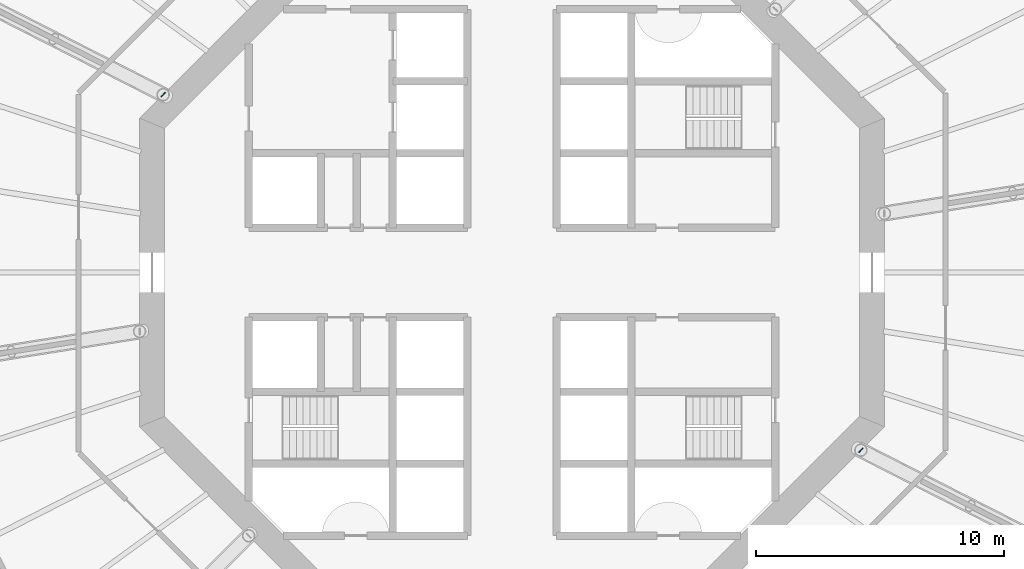
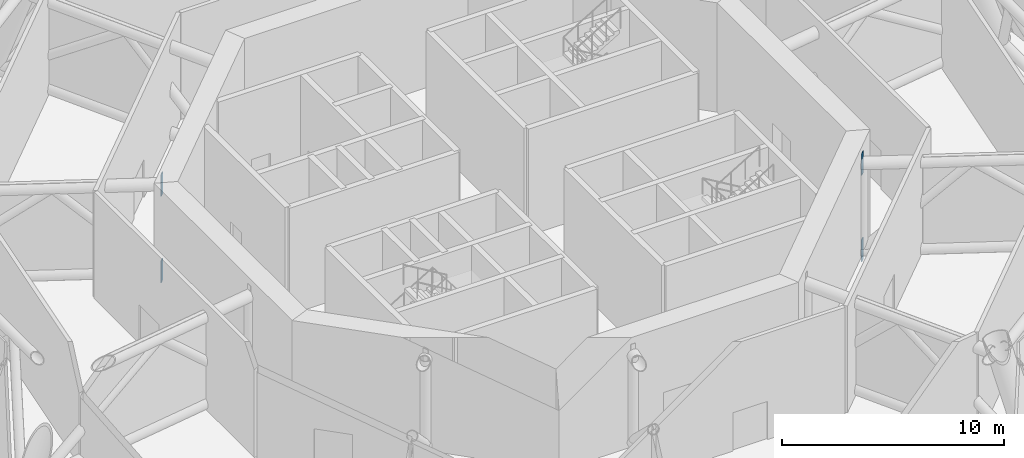
# One storey, part 11 of 15: 4 discrete accessories.
"""IFC4 building model written with IfcOpenShell, lengths in metres."""

from ifc_helpers import new_model, si_unit, direction, frame, origin, origin_2d, place, context, subcontext, project, spatial, rectangle, extrude, material, element, save


model = new_model("IFC4")

# Units and contexts
model_context = context("Model", 3, precision=1e-05, world=origin(), true_north=direction((0.0, 1.0)))
body_context = subcontext(model_context, "Body", "Model", "MODEL_VIEW")
ifc_project = project(units=[si_unit("LENGTHUNIT", "METRE"), si_unit("AREAUNIT", "SQUARE_METRE"), si_unit("VOLUMEUNIT", "CUBIC_METRE"), si_unit("PLANEANGLEUNIT", "RADIAN"), si_unit("MASSUNIT", "GRAM", prefix="KILO")], contexts=[model_context])

# Site, building, storey
site_placement = place(None, origin())
site = spatial("IfcSite", under=ifc_project, at=site_placement, CompositionType="ELEMENT")
building_placement = place(site_placement, origin())
building = spatial("IfcBuilding", under=site, at=building_placement, Name="Entoto Ring Tower", CompositionType="ELEMENT")
storey_placement = place(building_placement, frame((0.0, 0.0, 200.0)))
storey = spatial("IfcBuildingStorey", under=building, at=storey_placement, Name="L46", CompositionType="ELEMENT", Elevation=200.0)

# Discrete accessories
ifc_material = material(Name="Steel S355", Category="steel")
for number, where, z_axis, x_axis, name in (
    (1, (75.947021484375, 87.160400390625, -0.294921875), (0.0, 0.0, 1.0), (-0.707106781187, 0.707106781187, 0.0), "Embedded plate L46 bottom 05"),
    (2, (75.947021484375, 87.160400390625, 4.44482421875), (0.0, 0.0, 1.0), (-0.707106781187, 0.707106781187, 0.0), "Embedded plate L46 top 05"),
    (3, (104.052978515625, 72.839599609375, -0.294921875), (0.0, 0.0, 1.0), (0.707106781187, -0.707106781187, 0.0), "Embedded plate L46 bottom 10"),
    (4, (104.052978515625, 72.839599609375, 4.44482421875), (0.0, 0.0, 1.0), (0.707106781187, -0.707106781187, 0.0), "Embedded plate L46 top 10"),
):
    element("IfcDiscreteAccessory", number, at=place(storey_placement, frame(where, z_axis=z_axis, x_axis=x_axis)), inside=storey, material=ifc_material, Name=name, PredefinedType="ANCHORPLATE", context=body_context, shape_type="SweptSolid", body=[
        extrude(rectangle(XDim=0.0400390625, YDim=0.25, at=origin_2d()), origin(), (0.0, 0.0, 1.0), 1.199951171875),
    ])

save(model, "model.ifc")
